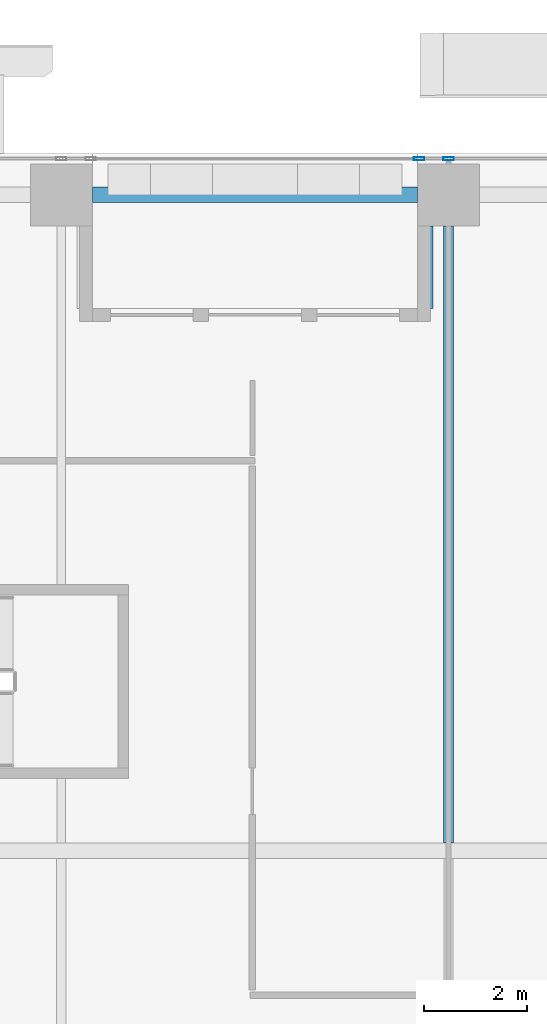
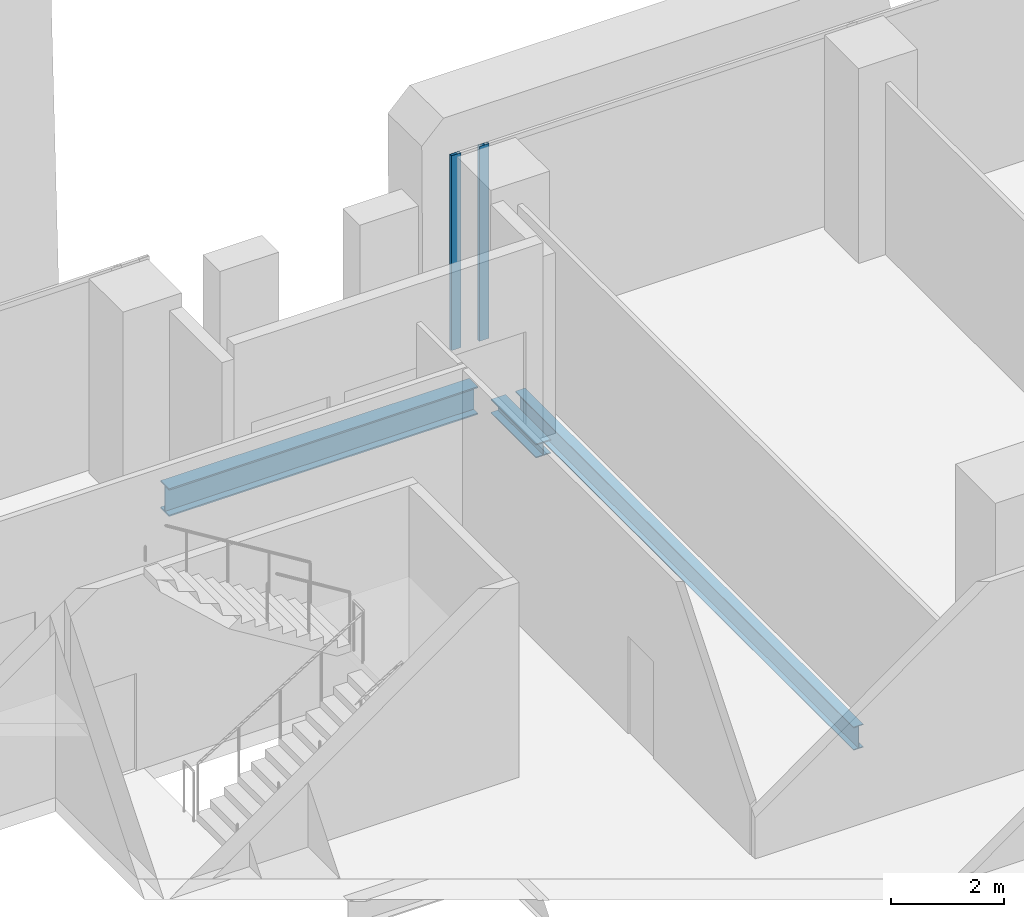
# One storey, part 19 of 36: 3 beams, 2 members, 1 element without a shape of its own.
"""IFC4 building model written with IfcOpenShell, lengths in metres."""

import ifcopenshell
import ifcopenshell.guid

model = None  # the IFC model being written
_history = None  # IfcOwnerHistory: only IFC2X3 demands one
_inside = {}  # id of a spatial element -> (the spatial element, [elements in it])
_under = {}  # id of a project, library or spatial element -> (it, [spatial elements below it])
_declared = {}  # id of a project -> (the project, [libraries it declares])
_typed = {}  # id of a type object -> (the type object, [elements of that type])
_made_of = {}  # id of a material, layer set ... -> (it, [elements and type objects made of it])


def new_model(schema):
    """Start an empty IFC model of exactly this schema.

    Asked for "IFC4X3", IfcOpenShell would pick the latest addendum, in which some entities
    have other attributes; the version numbers below select the first issue.
    IFC2X3 requires an IfcOwnerHistory on every rooted entity: one is made here for all.
    """
    global model, _history
    if schema == "IFC4X3":
        model = ifcopenshell.file(schema_version=(4, 3, 0, 0))
    else:
        model = ifcopenshell.file(schema=schema)
    _inside.clear()
    _under.clear()
    _declared.clear()
    _typed.clear()
    _made_of.clear()
    _history = None
    if model.schema == "IFC2X3":
        org = make("IfcOrganization", Name="unknown")
        user = make(
            "IfcPersonAndOrganization",
            ThePerson=make("IfcPerson", FamilyName="unknown"),
            TheOrganization=org,
        )
        app = make(
            "IfcApplication",
            ApplicationDeveloper=org,
            Version="unknown",
            ApplicationFullName="unknown",
            ApplicationIdentifier="unknown",
        )
        _history = make(
            "IfcOwnerHistory",
            OwningUser=user,
            OwningApplication=app,
            ChangeAction="ADDED",
            CreationDate=0,
        )
    return model


def make(cls, **values):
    """One entity of the class cls with the attributes given. An attribute that is None is left unset."""
    return model.create_entity(
        cls, **{name: value for name, value in values.items() if value is not None}
    )


def rooted(cls, **values):
    """An entity with a GlobalId (a new one), such as an element, a storey or a relation."""
    return make(cls, GlobalId=ifcopenshell.guid.new(), OwnerHistory=_history, **values)


def si_unit(unit_type, name, prefix=None):
    """IfcSIUnit, for example si_unit("LENGTHUNIT", "METRE", prefix="MILLI")."""
    return make("IfcSIUnit", UnitType=unit_type, Prefix=prefix, Name=name)


def assignment(units):
    """IfcUnitAssignment: the units of a project."""
    return None if units is None else make("IfcUnitAssignment", Units=units)


def point(xyz):
    """IfcCartesianPoint."""
    return None if xyz is None else make("IfcCartesianPoint", Coordinates=xyz)


def direction(xyz):
    """IfcDirection."""
    return None if xyz is None else make("IfcDirection", DirectionRatios=xyz)


def frame(location, z_axis=None, x_axis=None):
    """IfcAxis2Placement3D, a coordinate frame: its origin and axes. An axis left out is left unset."""
    return make(
        "IfcAxis2Placement3D",
        Location=point(location),
        Axis=direction(z_axis),
        RefDirection=direction(x_axis),
    )


def frame_2d(location, x_axis=None):
    """IfcAxis2Placement2D, a coordinate frame in the plane: its origin and x axis."""
    return make(
        "IfcAxis2Placement2D", Location=point(location), RefDirection=direction(x_axis)
    )


def origin():
    """The frame at (0, 0, 0) with its axes left unset."""
    return frame((0.0, 0.0, 0.0))


def origin_2d():
    """The frame at (0, 0) in the plane with its x axis left unset."""
    return frame_2d((0.0, 0.0))


def place(relative_to, where):
    """IfcLocalPlacement: puts the frame where relative to a parent placement (None: the world)."""
    return make(
        "IfcLocalPlacement", PlacementRelTo=relative_to, RelativePlacement=where
    )


def context(
    kind, dimensions, precision=None, world=None, true_north=None, identifier=None
):
    """IfcGeometricRepresentationContext, for example the 3D "Model" context."""
    return make(
        "IfcGeometricRepresentationContext",
        ContextIdentifier=identifier,
        ContextType=kind,
        CoordinateSpaceDimension=dimensions,
        Precision=precision,
        WorldCoordinateSystem=world,
        TrueNorth=true_north,
    )


def subcontext(parent, identifier, kind, view, scale=None):
    """IfcGeometricRepresentationSubContext, for example "Body" below "Model"."""
    return make(
        "IfcGeometricRepresentationSubContext",
        ContextIdentifier=identifier,
        ContextType=kind,
        ParentContext=parent,
        TargetScale=scale,
        TargetView=view,
    )


def project(units=None, contexts=None):
    """IfcProject with its units and contexts."""
    return rooted(
        "IfcProject",
        Name="project",
        RepresentationContexts=contexts,
        UnitsInContext=assignment(units),
    )


def spatial(cls, under=None, at=None, **own):
    """A site, building, storey or space (cls), placed at a placement, below another one or the project."""
    s = rooted(cls, ObjectPlacement=at, **own)
    if under is not None:
        _under.setdefault(under.id(), (under, []))[1].append(s)
    return s


def profile(cls, at=None, kind="AREA", **sizes):
    """A parametric profile (cls). Its sizes go by their IFC names, for example OverallWidth=200.0."""
    return make(cls, ProfileType=kind, Position=at, **sizes)


def hollow_rectangle(**sizes):
    """IfcRectangleHollowProfileDef."""
    return profile("IfcRectangleHollowProfileDef", **sizes)


def i_section(**sizes):
    """IfcIShapeProfileDef."""
    return profile("IfcIShapeProfileDef", **sizes)


def extrude(swept, where, along, depth):
    """IfcExtrudedAreaSolid: the profile swept, set in the frame where, extruded along a direction by depth."""
    return make(
        "IfcExtrudedAreaSolid",
        SweptArea=swept,
        Position=where,
        ExtrudedDirection=direction(along),
        Depth=depth,
    )


def shape(context_of_items, identifier, shape_type, items):
    """IfcShapeRepresentation: the items that make up one representation, for example the "Body"."""
    return make(
        "IfcShapeRepresentation",
        ContextOfItems=context_of_items,
        RepresentationIdentifier=identifier,
        RepresentationType=shape_type,
        Items=items,
    )


def source(mapping_origin, context_of_items, identifier, shape_type, items):
    """IfcRepresentationMap: a shape defined once, which mapped items show again and again."""
    return make(
        "IfcRepresentationMap",
        MappingOrigin=mapping_origin,
        MappedRepresentation=shape(context_of_items, identifier, shape_type, items),
    )


def transform(
    local_origin,
    x_axis=None,
    y_axis=None,
    z_axis=None,
    scale=None,
    scale2=None,
    scale3=None,
    uniform=True,
):
    """IfcCartesianTransformationOperator3D, or its non-uniform kind. x_axis, y_axis, z_axis: its Axis1, 2, 3."""
    if uniform:
        return make(
            "IfcCartesianTransformationOperator3D",
            Axis1=direction(x_axis),
            Axis2=direction(y_axis),
            LocalOrigin=point(local_origin),
            Scale=scale,
            Axis3=direction(z_axis),
        )
    return make(
        "IfcCartesianTransformationOperator3DnonUniform",
        Axis1=direction(x_axis),
        Axis2=direction(y_axis),
        LocalOrigin=point(local_origin),
        Scale=scale,
        Axis3=direction(z_axis),
        Scale2=scale2,
        Scale3=scale3,
    )


def mapped(mapping_source, mapping_target):
    """IfcMappedItem: shows the shape of a source again, moved by a transform."""
    return make(
        "IfcMappedItem", MappingSource=mapping_source, MappingTarget=mapping_target
    )


def material(Name=None, Category=None):
    """IfcMaterial."""
    return make("IfcMaterial", Name=Name, Category=Category)


def material_profile(
    of_material, cross_section, Name=None, Category=None, Priority=None
):
    """IfcMaterialProfile: a cross section and its material."""
    return make(
        "IfcMaterialProfile",
        Name=Name,
        Material=of_material,
        Profile=cross_section,
        Priority=Priority,
        Category=Category,
    )


def profile_set(profiles, Name=None, composite=None):
    """IfcMaterialProfileSet."""
    return make(
        "IfcMaterialProfileSet",
        Name=Name,
        MaterialProfiles=profiles,
        CompositeProfile=composite,
    )


def made_of(thing, what):
    """Note that an element or type object is made of a material, layer set ...; save() writes the relation."""
    if what is not None:
        _made_of.setdefault(what.id(), (what, []))[1].append(thing)
    return thing


def type_object(cls, material=None, **own):
    """A type object (cls), such as IfcWallType, which elements share."""
    return made_of(rooted(cls, **own), material)


def element(
    cls,
    number,
    at=None,
    inside=None,
    cuts=None,
    type_object=None,
    material=None,
    context=None,
    identifier="Body",
    shape_type=None,
    held_by="IfcProductDefinitionShape",
    body=None,
    shapes=None,
    **own,
):
    """One element of the class cls, such as IfcWall. Its Tag is "e" and its number.

    at: its placement. inside: the storey or other place that contains it. cuts: it is an
    opening in that element (IfcRelVoidsElement). A single representation is given by context,
    identifier, shape_type and body (its items); several are given by shapes. held_by: the class
    of the entity that holds the representations. save() writes the other relations.
    """
    e = rooted(cls, Tag="e%d" % number, ObjectPlacement=at, **own)
    if body is not None:
        shapes = [shape(context, identifier, shape_type, body)]
    if shapes is not None:
        e.Representation = make(held_by, Representations=shapes)
    if inside is not None:
        _inside.setdefault(inside.id(), (inside, []))[1].append(e)
    if cuts is not None:
        rooted(
            "IfcRelVoidsElement", RelatingBuildingElement=cuts, RelatedOpeningElement=e
        )
    if type_object is not None:
        _typed.setdefault(type_object.id(), (type_object, []))[1].append(e)
    return made_of(e, material)


def aggregate(whole, parts):
    """IfcRelAggregates: a whole, such as a stair, and the parts it consists of."""
    return rooted("IfcRelAggregates", RelatingObject=whole, RelatedObjects=parts)


def save(model, path):
    """Write the relations noted so far, then the file.

    IfcRelAggregates (storeys below a building ...), IfcRelContainedInSpatialStructure (elements
    in a storey), IfcRelDefinesByType, IfcRelAssociatesMaterial and IfcRelDeclares: one each for
    every whole, place, type object, material and project.
    """
    for whole, parts in _under.values():
        aggregate(whole, parts)
    for where, things in _inside.values():
        rooted(
            "IfcRelContainedInSpatialStructure",
            RelatedElements=things,
            RelatingStructure=where,
        )
    for kind, things in _typed.values():
        rooted("IfcRelDefinesByType", RelatedObjects=things, RelatingType=kind)
    for what, things in _made_of.values():
        rooted("IfcRelAssociatesMaterial", RelatedObjects=things, RelatingMaterial=what)
    for by, libraries in _declared.values():
        rooted("IfcRelDeclares", RelatingContext=by, RelatedDefinitions=libraries)
    model.write(path)


model = new_model("IFC4")

# Units and contexts
model_context = context("Model", 3, precision=1e-05, world=origin(), true_north=direction((0.0, 1.0)))
body_context = subcontext(model_context, "Body", "Model", "MODEL_VIEW")
ifc_project = project(units=[si_unit("LENGTHUNIT", "METRE"), si_unit("AREAUNIT", "SQUARE_METRE"), si_unit("VOLUMEUNIT", "CUBIC_METRE"), si_unit("PLANEANGLEUNIT", "RADIAN"), si_unit("MASSUNIT", "GRAM", prefix="KILO")], contexts=[model_context])

# Site, building, storey
site_placement = place(None, origin())
site = spatial("IfcSite", under=ifc_project, at=site_placement, CompositionType="ELEMENT")
building_placement = place(site_placement, origin())
building = spatial("IfcBuilding", under=site, at=building_placement, Name="Khomas Fold Tower", CompositionType="ELEMENT")
storey_placement = place(building_placement, frame((0.0, 0.0, 46.5)))
storey = spatial("IfcBuildingStorey", under=building, at=storey_placement, Name="L09", CompositionType="ELEMENT", Elevation=46.5)

# Beams
ifc_material_1 = material(Name="Steel S355", Category="steel")
ifc_material_profile_1 = material_profile(ifc_material_1, i_section(OverallWidth=0.300048828125, OverallDepth=0.60009765625, WebThickness=0.015380859375, FlangeThickness=0.030029296875, at=origin_2d()), Name="HE 600 B")
ifc_profile_set_1 = profile_set([ifc_material_profile_1], Name="Steel S355")
beam_type_1 = type_object("IfcBeamType", Name="HE 600 B spandrel SB1", PredefinedType="SPANDREL", material=ifc_profile_set_1)
shared_shape_1 = source(origin(), body_context, "Body", "SweptSolid", [
    extrude(i_section(OverallWidth=0.300048828125, OverallDepth=0.60009765625, WebThickness=0.015380859375, FlangeThickness=0.030029296875, at=origin_2d()), origin(), (0.0, 0.0, 1.0), 6.2998046875),
])
beam_1_placement = place(storey_placement, frame((27.60009765625, 53.199951171875, -0.60009765625), z_axis=(1.0, 0.0, 0.0), x_axis=(0.0, 1.0, 0.0)))
element("IfcBeam", 1, at=beam_1_placement, inside=storey, type_object=beam_type_1, Name="SB1", PredefinedType="SPANDREL", context=body_context, shape_type="MappedRepresentation", body=[
    mapped(shared_shape_1, transform((0.0, 0.0, 0.0))),
])
ifc_material_2 = material(Name="Steel S355", Category="steel")
ifc_material_profile_2 = material_profile(ifc_material_2, i_section(OverallWidth=0.300048828125, OverallDepth=0.300048828125, WebThickness=0.010986328125, FlangeThickness=0.01904296875, at=origin_2d()), Name="HE 300 B")
ifc_profile_set_2 = profile_set([ifc_material_profile_2], Name="Steel S355")
beam_type_2 = type_object("IfcBeamType", Name="HE 300 B beam BB1", PredefinedType="BEAM", material=ifc_profile_set_2)
shared_shape_2 = source(origin(), body_context, "Body", "SweptSolid", [
    extrude(i_section(OverallWidth=0.300048828125, OverallDepth=0.300048828125, WebThickness=0.010986328125, FlangeThickness=0.01904296875, at=origin_2d()), origin(), (0.0, 0.0, 1.0), 1.60009765625),
])
beam_2_placement = place(storey_placement, frame((34.050048828125, 51.0, -0.449951171875), z_axis=(0.0, 1.0, 0.0), x_axis=(-1.0, 0.0, 0.0)))
element("IfcBeam", 2, at=beam_2_placement, inside=storey, type_object=beam_type_2, Name="BB1", PredefinedType="BEAM", context=body_context, shape_type="MappedRepresentation", body=[
    mapped(shared_shape_2, transform((0.0, 0.0, 0.0))),
])
ifc_material_3 = material(Name="Steel S355", Category="steel")
ifc_material_profile_3 = material_profile(ifc_material_3, i_section(OverallWidth=0.199951171875, OverallDepth=0.5, WebThickness=0.01025390625, FlangeThickness=0.01611328125, at=origin_2d()), Name="IPE 500")
ifc_profile_set_3 = profile_set([ifc_material_profile_3], Name="Steel S355")
beam_type_3 = type_object("IfcBeamType", Name="IPE 500 beam JB5", PredefinedType="BEAM", material=ifc_profile_set_3)
shared_shape_3 = source(origin(), body_context, "Body", "SweptSolid", [
    extrude(i_section(OverallWidth=0.199951171875, OverallDepth=0.5, WebThickness=0.01025390625, FlangeThickness=0.01611328125, at=origin_2d()), origin(), (0.0, 0.0, 1.0), 11.9501953125),
])
beam_3_placement = place(storey_placement, frame((34.5, 40.64990234375, -0.550048828125), z_axis=(0.0, 1.0, 0.0), x_axis=(-1.0, 0.0, 0.0)))
element("IfcBeam", 3, at=beam_3_placement, inside=storey, type_object=beam_type_3, Name="JB5", PredefinedType="BEAM", context=body_context, shape_type="MappedRepresentation", body=[
    mapped(shared_shape_3, transform((0.0, 0.0, 0.0))),
])

# Curtain wall, members
ifc_material_4 = material(Name="Aluminium framed double glazing", Category="aluminium")
curtain_wall_type = type_object("IfcCurtainWallType", Name="SK-Unitised clear-glass wall, growing floors CW1", PredefinedType="NOTDEFINED", material=ifc_material_4)
curtain_wall_placement = place(storey_placement, origin())
curtain_wall = element("IfcCurtainWall", 4, at=curtain_wall_placement, inside=storey, type_object=curtain_wall_type, Name="CW1 run L09 06-0", PredefinedType="NOTDEFINED")
ifc_material_5 = material(Name="Aluminium", Category="aluminium")
ifc_material_profile_4 = material_profile(ifc_material_5, hollow_rectangle(XDim=0.06005859375, YDim=0.199951171875, WallThickness=0.00390625, at=origin_2d()), Name="SK-Unitised clear-glass wall, growing floors mullion CW1-M")
ifc_profile_set_4 = profile_set([ifc_material_profile_4], Name="Aluminium")
member_type = type_object("IfcMemberType", Name="SK-Unitised clear-glass wall, growing floors mullion CW1-M", PredefinedType="MULLION", material=ifc_profile_set_4)
shared_shape_4 = source(origin(), body_context, "Body", "SweptSolid", [
    extrude(hollow_rectangle(XDim=0.06005859375, YDim=0.199951171875, WallThickness=0.00390625, at=origin_2d()), origin(), (0.0, 0.0, 1.0), 4.199951171875),
])
member_1_placement = place(storey_placement, frame((34.5, 53.89990234375, 0.0), z_axis=(0.0, 0.0, 1.0), x_axis=(0.0, -1.0, 0.0)))
member_1 = element("IfcMember", 5, at=member_1_placement, type_object=member_type, Name="CW1 mullion 4", PredefinedType="MULLION", context=body_context, shape_type="MappedRepresentation", body=[
    mapped(shared_shape_4, transform((0.0, 0.0, 0.0))),
])
member_2_placement = place(storey_placement, frame((33.929931640625, 53.89990234375, 0.0), z_axis=(0.0, 0.0, 1.0), x_axis=(0.0, -1.0, 0.0)))
member_2 = element("IfcMember", 6, at=member_2_placement, type_object=member_type, Name="CW1 mullion 5", PredefinedType="MULLION", context=body_context, shape_type="MappedRepresentation", body=[
    mapped(shared_shape_4, transform((0.0, 0.0, 0.0))),
])
aggregate(curtain_wall, [member_1, member_2])

save(model, "model.ifc")
